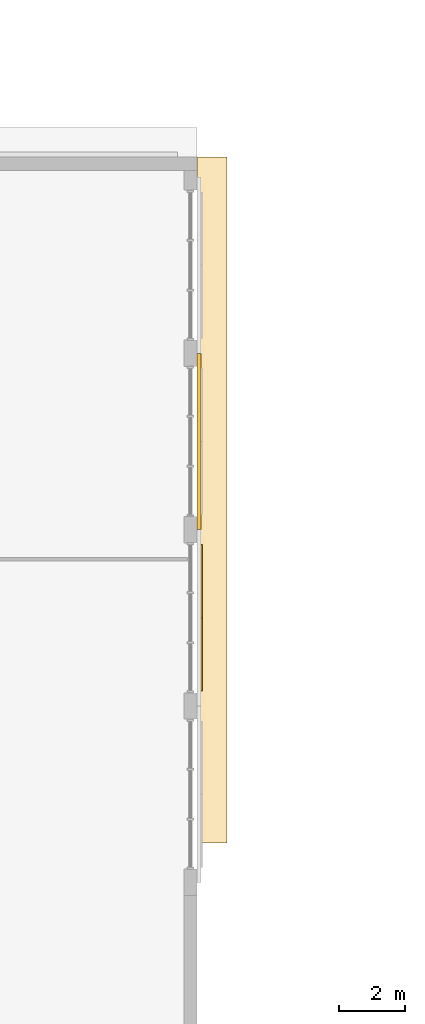
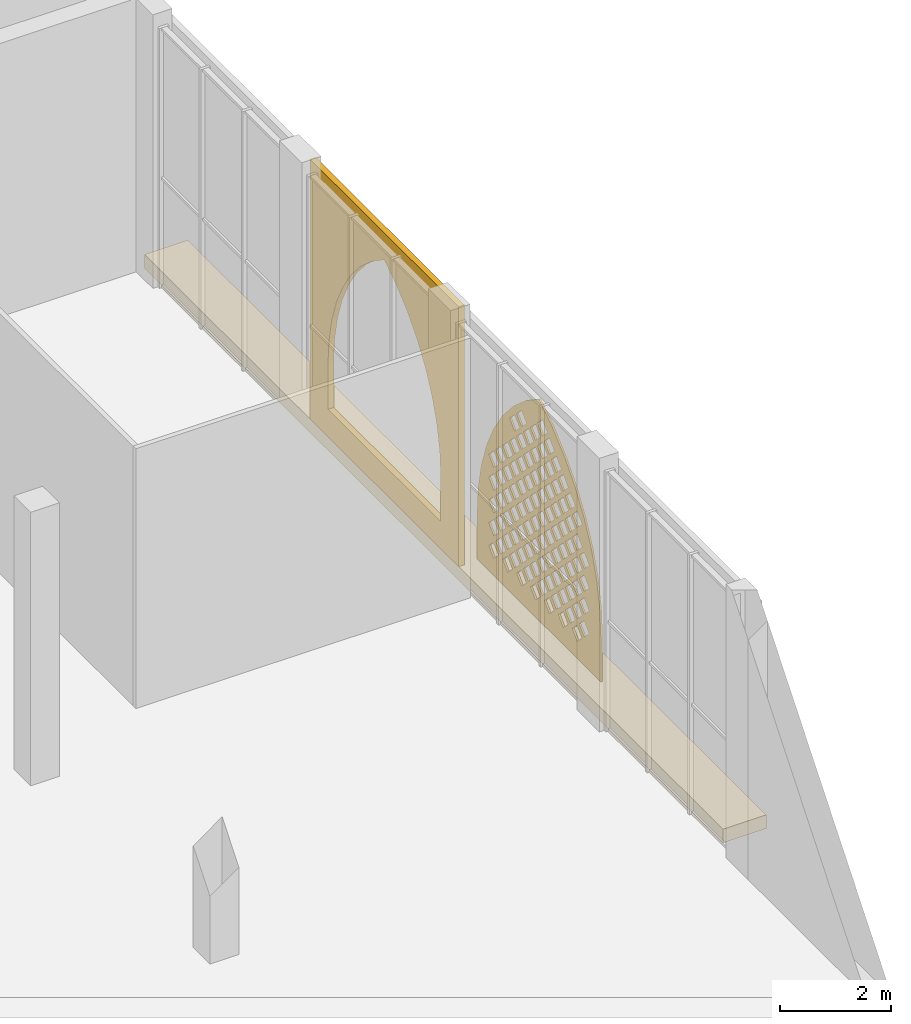
# One storey, part 44 of 74: 3 coverings.
"""IFC4 building model written with IfcOpenShell, lengths in metres."""

from ifc_helpers import new_model, si_unit, direction, frame, origin, place, context, subcontext, project, spatial, polyline, outline, extrude, material, layer, layer_set, type_object, element, save


model = new_model("IFC4")

# Units and contexts
model_context = context("Model", 3, precision=1e-05, world=origin(), true_north=direction((0.0, 1.0)))
body_context = subcontext(model_context, "Body", "Model", "MODEL_VIEW")
ifc_project = project(units=[si_unit("LENGTHUNIT", "METRE"), si_unit("AREAUNIT", "SQUARE_METRE"), si_unit("VOLUMEUNIT", "CUBIC_METRE"), si_unit("PLANEANGLEUNIT", "RADIAN"), si_unit("MASSUNIT", "GRAM", prefix="KILO")], contexts=[model_context])

# Site, building, storey
site_placement = place(None, origin())
site = spatial("IfcSite", under=ifc_project, at=site_placement, CompositionType="ELEMENT")
building_placement = place(site_placement, origin())
building = spatial("IfcBuilding", under=site, at=building_placement, Name="Noorbagh Ring Tower", CompositionType="ELEMENT")
storey_placement = place(building_placement, frame((0.0, 0.0, 13.5)))
storey = spatial("IfcBuildingStorey", under=building, at=storey_placement, Name="L02", CompositionType="ELEMENT", Elevation=13.5)

# Coverings
ifc_material_1 = material(Name="Red sandstone eave", Category="masonry")
covering_type_1 = type_object("IfcCoveringType", Name="STH-CHHAJJA", PredefinedType="USERDEFINED", material=ifc_material_1)
covering_1_placement = place(storey_placement, frame((0.0, 0.0, -0.300048828125)))
element("IfcCovering", 1, at=covering_1_placement, inside=storey, type_object=covering_type_1, Name="Chhajja eave", ObjectType="CHHAJJA", PredefinedType="USERDEFINED", context=body_context, shape_type="SweptSolid", body=[
    extrude(outline(polyline([(-95.0, 10.199951171875), (-95.0, 31.0), (-94.10009765625, 31.0), (-94.10009765625, 10.199951171875), (-95.0, 10.199951171875)])), origin(), (0.0, 0.0, 1.0), 0.300048828125),
])
ifc_material_2 = material(Name="Red sandstone jali", Category="masonry")
ifc_layer_1 = layer(ifc_material_2, 0.0400390625)
ifc_layer_set_1 = layer_set([ifc_layer_1], Name="Red sandstone jali")
covering_type_2 = type_object("IfcCoveringType", Name="STH-JALI", PredefinedType="USERDEFINED", material=ifc_layer_set_1)
covering_2_placement = place(storey_placement, frame((-94.840087890625, 14.800048828125, 0.39990234375), z_axis=(1.0, 0.0, 0.0), x_axis=(0.0, 1.0, 0.0)))
element("IfcCovering", 2, at=covering_2_placement, inside=storey, type_object=covering_type_2, Name="Jali screen", ObjectType="SCREEN", PredefinedType="USERDEFINED", context=body_context, shape_type="SweptSolid", body=[
    extrude(outline(polyline([(0.0, 0.0), (4.449951171875, 0.0), (4.449951171875, 1.0), (4.411865234375, 1.580810546875), (4.29833984375, 2.15185546875), (4.111328125, 2.702880859375), (3.853759765625, 3.22509765625), (3.5302734375, 3.708984375), (3.146484375, 4.146728515625), (2.708984375, 4.530517578125), (2.224853515625, 4.85400390625), (1.740966796875, 4.530517578125), (1.303466796875, 4.146728515625), (0.91943359375, 3.708984375), (0.59619140625, 3.22509765625), (0.338623046875, 2.702880859375), (0.151611328125, 2.15185546875), (0.0380859375, 1.580810546875), (0.0, 1.0), (0.0, 0.0)]), holes=[polyline([(0.669921875, 0.552001953125), (0.85009765625, 0.371826171875), (1.030029296875, 0.552001953125), (0.85009765625, 0.73193359375), (0.669921875, 0.552001953125)]), polyline([(1.169921875, 0.552001953125), (1.35009765625, 0.371826171875), (1.530029296875, 0.552001953125), (1.35009765625, 0.73193359375), (1.169921875, 0.552001953125)]), polyline([(1.669921875, 0.552001953125), (1.85009765625, 0.371826171875), (2.030029296875, 0.552001953125), (1.85009765625, 0.73193359375), (1.669921875, 0.552001953125)]), polyline([(2.169921875, 0.552001953125), (2.35009765625, 0.371826171875), (2.530029296875, 0.552001953125), (2.35009765625, 0.73193359375), (2.169921875, 0.552001953125)]), polyline([(2.669921875, 0.552001953125), (2.85009765625, 0.371826171875), (3.030029296875, 0.552001953125), (2.85009765625, 0.73193359375), (2.669921875, 0.552001953125)]), polyline([(3.169921875, 0.552001953125), (3.35009765625, 0.371826171875), (3.530029296875, 0.552001953125), (3.35009765625, 0.73193359375), (3.169921875, 0.552001953125)]), polyline([(3.669921875, 0.552001953125), (3.85009765625, 0.371826171875), (4.030029296875, 0.552001953125), (3.85009765625, 0.73193359375), (3.669921875, 0.552001953125)]), polyline([(0.419921875, 0.802001953125), (0.60009765625, 0.621826171875), (0.780029296875, 0.802001953125), (0.60009765625, 0.98193359375), (0.419921875, 0.802001953125)]), polyline([(0.919921875, 0.802001953125), (1.10009765625, 0.621826171875), (1.280029296875, 0.802001953125), (1.10009765625, 0.98193359375), (0.919921875, 0.802001953125)]), polyline([(1.419921875, 0.802001953125), (1.60009765625, 0.621826171875), (1.780029296875, 0.802001953125), (1.60009765625, 0.98193359375), (1.419921875, 0.802001953125)]), polyline([(1.919921875, 0.802001953125), (2.10009765625, 0.621826171875), (2.280029296875, 0.802001953125), (2.10009765625, 0.98193359375), (1.919921875, 0.802001953125)]), polyline([(2.419921875, 0.802001953125), (2.60009765625, 0.621826171875), (2.780029296875, 0.802001953125), (2.60009765625, 0.98193359375), (2.419921875, 0.802001953125)]), polyline([(2.919921875, 0.802001953125), (3.10009765625, 0.621826171875), (3.280029296875, 0.802001953125), (3.10009765625, 0.98193359375), (2.919921875, 0.802001953125)]), polyline([(3.419921875, 0.802001953125), (3.60009765625, 0.621826171875), (3.780029296875, 0.802001953125), (3.60009765625, 0.98193359375), (3.419921875, 0.802001953125)]), polyline([(0.669921875, 1.052001953125), (0.85009765625, 0.871826171875), (1.030029296875, 1.052001953125), (0.85009765625, 1.23193359375), (0.669921875, 1.052001953125)]), polyline([(1.169921875, 1.052001953125), (1.35009765625, 0.871826171875), (1.530029296875, 1.052001953125), (1.35009765625, 1.23193359375), (1.169921875, 1.052001953125)]), polyline([(1.669921875, 1.052001953125), (1.85009765625, 0.871826171875), (2.030029296875, 1.052001953125), (1.85009765625, 1.23193359375), (1.669921875, 1.052001953125)]), polyline([(2.169921875, 1.052001953125), (2.35009765625, 0.871826171875), (2.530029296875, 1.052001953125), (2.35009765625, 1.23193359375), (2.169921875, 1.052001953125)]), polyline([(2.669921875, 1.052001953125), (2.85009765625, 0.871826171875), (3.030029296875, 1.052001953125), (2.85009765625, 1.23193359375), (2.669921875, 1.052001953125)]), polyline([(3.169921875, 1.052001953125), (3.35009765625, 0.871826171875), (3.530029296875, 1.052001953125), (3.35009765625, 1.23193359375), (3.169921875, 1.052001953125)]), polyline([(3.669921875, 1.052001953125), (3.85009765625, 0.871826171875), (4.030029296875, 1.052001953125), (3.85009765625, 1.23193359375), (3.669921875, 1.052001953125)]), polyline([(0.419921875, 1.302001953125), (0.60009765625, 1.121826171875), (0.780029296875, 1.302001953125), (0.60009765625, 1.48193359375), (0.419921875, 1.302001953125)]), polyline([(0.919921875, 1.302001953125), (1.10009765625, 1.121826171875), (1.280029296875, 1.302001953125), (1.10009765625, 1.48193359375), (0.919921875, 1.302001953125)]), polyline([(1.419921875, 1.302001953125), (1.60009765625, 1.121826171875), (1.780029296875, 1.302001953125), (1.60009765625, 1.48193359375), (1.419921875, 1.302001953125)]), polyline([(1.919921875, 1.302001953125), (2.10009765625, 1.121826171875), (2.280029296875, 1.302001953125), (2.10009765625, 1.48193359375), (1.919921875, 1.302001953125)]), polyline([(2.419921875, 1.302001953125), (2.60009765625, 1.121826171875), (2.780029296875, 1.302001953125), (2.60009765625, 1.48193359375), (2.419921875, 1.302001953125)]), polyline([(2.919921875, 1.302001953125), (3.10009765625, 1.121826171875), (3.280029296875, 1.302001953125), (3.10009765625, 1.48193359375), (2.919921875, 1.302001953125)]), polyline([(3.419921875, 1.302001953125), (3.60009765625, 1.121826171875), (3.780029296875, 1.302001953125), (3.60009765625, 1.48193359375), (3.419921875, 1.302001953125)]), polyline([(0.669921875, 1.552001953125), (0.85009765625, 1.371826171875), (1.030029296875, 1.552001953125), (0.85009765625, 1.73193359375), (0.669921875, 1.552001953125)]), polyline([(1.169921875, 1.552001953125), (1.35009765625, 1.371826171875), (1.530029296875, 1.552001953125), (1.35009765625, 1.73193359375), (1.169921875, 1.552001953125)]), polyline([(1.669921875, 1.552001953125), (1.85009765625, 1.371826171875), (2.030029296875, 1.552001953125), (1.85009765625, 1.73193359375), (1.669921875, 1.552001953125)]), polyline([(2.169921875, 1.552001953125), (2.35009765625, 1.371826171875), (2.530029296875, 1.552001953125), (2.35009765625, 1.73193359375), (2.169921875, 1.552001953125)]), polyline([(2.669921875, 1.552001953125), (2.85009765625, 1.371826171875), (3.030029296875, 1.552001953125), (2.85009765625, 1.73193359375), (2.669921875, 1.552001953125)]), polyline([(3.169921875, 1.552001953125), (3.35009765625, 1.371826171875), (3.530029296875, 1.552001953125), (3.35009765625, 1.73193359375), (3.169921875, 1.552001953125)]), polyline([(3.669921875, 1.552001953125), (3.85009765625, 1.371826171875), (4.030029296875, 1.552001953125), (3.85009765625, 1.73193359375), (3.669921875, 1.552001953125)]), polyline([(0.419921875, 1.802001953125), (0.60009765625, 1.621826171875), (0.780029296875, 1.802001953125), (0.60009765625, 1.98193359375), (0.419921875, 1.802001953125)]), polyline([(0.919921875, 1.802001953125), (1.10009765625, 1.621826171875), (1.280029296875, 1.802001953125), (1.10009765625, 1.98193359375), (0.919921875, 1.802001953125)]), polyline([(1.419921875, 1.802001953125), (1.60009765625, 1.621826171875), (1.780029296875, 1.802001953125), (1.60009765625, 1.98193359375), (1.419921875, 1.802001953125)]), polyline([(1.919921875, 1.802001953125), (2.10009765625, 1.621826171875), (2.280029296875, 1.802001953125), (2.10009765625, 1.98193359375), (1.919921875, 1.802001953125)]), polyline([(2.419921875, 1.802001953125), (2.60009765625, 1.621826171875), (2.780029296875, 1.802001953125), (2.60009765625, 1.98193359375), (2.419921875, 1.802001953125)]), polyline([(2.919921875, 1.802001953125), (3.10009765625, 1.621826171875), (3.280029296875, 1.802001953125), (3.10009765625, 1.98193359375), (2.919921875, 1.802001953125)]), polyline([(3.419921875, 1.802001953125), (3.60009765625, 1.621826171875), (3.780029296875, 1.802001953125), (3.60009765625, 1.98193359375), (3.419921875, 1.802001953125)]), polyline([(0.669921875, 2.052001953125), (0.85009765625, 1.871826171875), (1.030029296875, 2.052001953125), (0.85009765625, 2.23193359375), (0.669921875, 2.052001953125)]), polyline([(1.169921875, 2.052001953125), (1.35009765625, 1.871826171875), (1.530029296875, 2.052001953125), (1.35009765625, 2.23193359375), (1.169921875, 2.052001953125)]), polyline([(1.669921875, 2.052001953125), (1.85009765625, 1.871826171875), (2.030029296875, 2.052001953125), (1.85009765625, 2.23193359375), (1.669921875, 2.052001953125)]), polyline([(2.169921875, 2.052001953125), (2.35009765625, 1.871826171875), (2.530029296875, 2.052001953125), (2.35009765625, 2.23193359375), (2.169921875, 2.052001953125)]), polyline([(2.669921875, 2.052001953125), (2.85009765625, 1.871826171875), (3.030029296875, 2.052001953125), (2.85009765625, 2.23193359375), (2.669921875, 2.052001953125)]), polyline([(3.169921875, 2.052001953125), (3.35009765625, 1.871826171875), (3.530029296875, 2.052001953125), (3.35009765625, 2.23193359375), (3.169921875, 2.052001953125)]), polyline([(3.669921875, 2.052001953125), (3.85009765625, 1.871826171875), (4.030029296875, 2.052001953125), (3.85009765625, 2.23193359375), (3.669921875, 2.052001953125)]), polyline([(0.419921875, 2.302001953125), (0.60009765625, 2.121826171875), (0.780029296875, 2.302001953125), (0.60009765625, 2.48193359375), (0.419921875, 2.302001953125)]), polyline([(0.919921875, 2.302001953125), (1.10009765625, 2.121826171875), (1.280029296875, 2.302001953125), (1.10009765625, 2.48193359375), (0.919921875, 2.302001953125)]), polyline([(1.419921875, 2.302001953125), (1.60009765625, 2.121826171875), (1.780029296875, 2.302001953125), (1.60009765625, 2.48193359375), (1.419921875, 2.302001953125)]), polyline([(1.919921875, 2.302001953125), (2.10009765625, 2.121826171875), (2.280029296875, 2.302001953125), (2.10009765625, 2.48193359375), (1.919921875, 2.302001953125)]), polyline([(2.419921875, 2.302001953125), (2.60009765625, 2.121826171875), (2.780029296875, 2.302001953125), (2.60009765625, 2.48193359375), (2.419921875, 2.302001953125)]), polyline([(2.919921875, 2.302001953125), (3.10009765625, 2.121826171875), (3.280029296875, 2.302001953125), (3.10009765625, 2.48193359375), (2.919921875, 2.302001953125)]), polyline([(3.419921875, 2.302001953125), (3.60009765625, 2.121826171875), (3.780029296875, 2.302001953125), (3.60009765625, 2.48193359375), (3.419921875, 2.302001953125)]), polyline([(0.669921875, 2.552001953125), (0.85009765625, 2.371826171875), (1.030029296875, 2.552001953125), (0.85009765625, 2.73193359375), (0.669921875, 2.552001953125)]), polyline([(1.169921875, 2.552001953125), (1.35009765625, 2.371826171875), (1.530029296875, 2.552001953125), (1.35009765625, 2.73193359375), (1.169921875, 2.552001953125)]), polyline([(1.669921875, 2.552001953125), (1.85009765625, 2.371826171875), (2.030029296875, 2.552001953125), (1.85009765625, 2.73193359375), (1.669921875, 2.552001953125)]), polyline([(2.169921875, 2.552001953125), (2.35009765625, 2.371826171875), (2.530029296875, 2.552001953125), (2.35009765625, 2.73193359375), (2.169921875, 2.552001953125)]), polyline([(2.669921875, 2.552001953125), (2.85009765625, 2.371826171875), (3.030029296875, 2.552001953125), (2.85009765625, 2.73193359375), (2.669921875, 2.552001953125)]), polyline([(3.169921875, 2.552001953125), (3.35009765625, 2.371826171875), (3.530029296875, 2.552001953125), (3.35009765625, 2.73193359375), (3.169921875, 2.552001953125)]), polyline([(3.669921875, 2.552001953125), (3.85009765625, 2.371826171875), (4.030029296875, 2.552001953125), (3.85009765625, 2.73193359375), (3.669921875, 2.552001953125)]), polyline([(0.919921875, 2.802001953125), (1.10009765625, 2.621826171875), (1.280029296875, 2.802001953125), (1.10009765625, 2.98193359375), (0.919921875, 2.802001953125)]), polyline([(1.419921875, 2.802001953125), (1.60009765625, 2.621826171875), (1.780029296875, 2.802001953125), (1.60009765625, 2.98193359375), (1.419921875, 2.802001953125)]), polyline([(1.919921875, 2.802001953125), (2.10009765625, 2.621826171875), (2.280029296875, 2.802001953125), (2.10009765625, 2.98193359375), (1.919921875, 2.802001953125)]), polyline([(2.419921875, 2.802001953125), (2.60009765625, 2.621826171875), (2.780029296875, 2.802001953125), (2.60009765625, 2.98193359375), (2.419921875, 2.802001953125)]), polyline([(2.919921875, 2.802001953125), (3.10009765625, 2.621826171875), (3.280029296875, 2.802001953125), (3.10009765625, 2.98193359375), (2.919921875, 2.802001953125)]), polyline([(3.419921875, 2.802001953125), (3.60009765625, 2.621826171875), (3.780029296875, 2.802001953125), (3.60009765625, 2.98193359375), (3.419921875, 2.802001953125)]), polyline([(0.669921875, 3.052001953125), (0.85009765625, 2.871826171875), (1.030029296875, 3.052001953125), (0.85009765625, 3.23193359375), (0.669921875, 3.052001953125)]), polyline([(1.169921875, 3.052001953125), (1.35009765625, 2.871826171875), (1.530029296875, 3.052001953125), (1.35009765625, 3.23193359375), (1.169921875, 3.052001953125)]), polyline([(1.669921875, 3.052001953125), (1.85009765625, 2.871826171875), (2.030029296875, 3.052001953125), (1.85009765625, 3.23193359375), (1.669921875, 3.052001953125)]), polyline([(2.169921875, 3.052001953125), (2.35009765625, 2.871826171875), (2.530029296875, 3.052001953125), (2.35009765625, 3.23193359375), (2.169921875, 3.052001953125)]), polyline([(2.669921875, 3.052001953125), (2.85009765625, 2.871826171875), (3.030029296875, 3.052001953125), (2.85009765625, 3.23193359375), (2.669921875, 3.052001953125)]), polyline([(3.169921875, 3.052001953125), (3.35009765625, 2.871826171875), (3.530029296875, 3.052001953125), (3.35009765625, 3.23193359375), (3.169921875, 3.052001953125)]), polyline([(0.919921875, 3.302001953125), (1.10009765625, 3.121826171875), (1.280029296875, 3.302001953125), (1.10009765625, 3.48193359375), (0.919921875, 3.302001953125)]), polyline([(1.419921875, 3.302001953125), (1.60009765625, 3.121826171875), (1.780029296875, 3.302001953125), (1.60009765625, 3.48193359375), (1.419921875, 3.302001953125)]), polyline([(1.919921875, 3.302001953125), (2.10009765625, 3.121826171875), (2.280029296875, 3.302001953125), (2.10009765625, 3.48193359375), (1.919921875, 3.302001953125)]), polyline([(2.419921875, 3.302001953125), (2.60009765625, 3.121826171875), (2.780029296875, 3.302001953125), (2.60009765625, 3.48193359375), (2.419921875, 3.302001953125)]), polyline([(2.919921875, 3.302001953125), (3.10009765625, 3.121826171875), (3.280029296875, 3.302001953125), (3.10009765625, 3.48193359375), (2.919921875, 3.302001953125)]), polyline([(1.169921875, 3.552001953125), (1.35009765625, 3.371826171875), (1.530029296875, 3.552001953125), (1.35009765625, 3.73193359375), (1.169921875, 3.552001953125)]), polyline([(1.669921875, 3.552001953125), (1.85009765625, 3.371826171875), (2.030029296875, 3.552001953125), (1.85009765625, 3.73193359375), (1.669921875, 3.552001953125)]), polyline([(2.169921875, 3.552001953125), (2.35009765625, 3.371826171875), (2.530029296875, 3.552001953125), (2.35009765625, 3.73193359375), (2.169921875, 3.552001953125)]), polyline([(2.669921875, 3.552001953125), (2.85009765625, 3.371826171875), (3.030029296875, 3.552001953125), (2.85009765625, 3.73193359375), (2.669921875, 3.552001953125)]), polyline([(1.419921875, 3.802001953125), (1.60009765625, 3.621826171875), (1.780029296875, 3.802001953125), (1.60009765625, 3.98193359375), (1.419921875, 3.802001953125)]), polyline([(1.919921875, 3.802001953125), (2.10009765625, 3.621826171875), (2.280029296875, 3.802001953125), (2.10009765625, 3.98193359375), (1.919921875, 3.802001953125)]), polyline([(2.419921875, 3.802001953125), (2.60009765625, 3.621826171875), (2.780029296875, 3.802001953125), (2.60009765625, 3.98193359375), (2.419921875, 3.802001953125)]), polyline([(2.919921875, 3.802001953125), (3.10009765625, 3.621826171875), (3.280029296875, 3.802001953125), (3.10009765625, 3.98193359375), (2.919921875, 3.802001953125)]), polyline([(1.669921875, 4.052001953125), (1.85009765625, 3.871826171875), (2.030029296875, 4.052001953125), (1.85009765625, 4.23193359375), (1.669921875, 4.052001953125)]), polyline([(2.169921875, 4.052001953125), (2.35009765625, 3.871826171875), (2.530029296875, 4.052001953125), (2.35009765625, 4.23193359375), (2.169921875, 4.052001953125)]), polyline([(2.669921875, 4.052001953125), (2.85009765625, 3.871826171875), (3.030029296875, 4.052001953125), (2.85009765625, 4.23193359375), (2.669921875, 4.052001953125)]), polyline([(1.919921875, 4.302001953125), (2.10009765625, 4.121826171875), (2.280029296875, 4.302001953125), (2.10009765625, 4.48193359375), (1.919921875, 4.302001953125)])]), origin(), (0.0, 0.0, -1.0), 0.0400390625),
])
ifc_material_3 = material(Name="Red sandstone cladding", Category="masonry")
ifc_layer_2 = layer(ifc_material_3, 0.1201171875)
ifc_layer_set_2 = layer_set([ifc_layer_2], Name="Red sandstone cladding")
covering_type_3 = type_object("IfcCoveringType", Name="STH-SPANDREL", PredefinedType="USERDEFINED", material=ifc_layer_set_2)
covering_3_placement = place(storey_placement, frame((-94.8798828125, 19.699951171875, 0.0), z_axis=(1.0, 0.0, 0.0), x_axis=(0.0, 1.0, 0.0)))
element("IfcCovering", 3, at=covering_3_placement, inside=storey, type_object=covering_type_3, Name="Arch spandrel", ObjectType="ARCH", PredefinedType="USERDEFINED", context=body_context, shape_type="SweptSolid", body=[
    extrude(outline(polyline([(0.0, 0.0), (5.35009765625, 0.0), (5.35009765625, 5.699951171875), (0.0, 5.699951171875), (0.0, 0.0)]), holes=[polyline([(0.64990234375, 0.60009765625), (0.64990234375, 1.60009765625), (0.6845703125, 2.128662109375), (0.7880859375, 2.648193359375), (0.958251953125, 3.14990234375), (1.192626953125, 3.625), (1.48681640625, 4.0654296875), (1.836181640625, 4.4638671875), (2.234619140625, 4.81298828125), (2.675048828125, 5.107421875), (3.115478515625, 4.81298828125), (3.513916015625, 4.4638671875), (3.863037109375, 4.0654296875), (4.157470703125, 3.625), (4.3916015625, 3.14990234375), (4.56201171875, 2.648193359375), (4.665283203125, 2.128662109375), (4.699951171875, 1.60009765625), (4.699951171875, 0.60009765625), (0.64990234375, 0.60009765625)])]), origin(), (0.0, 0.0, -1.0), 0.1201171875),
])

save(model, "model.ifc")
